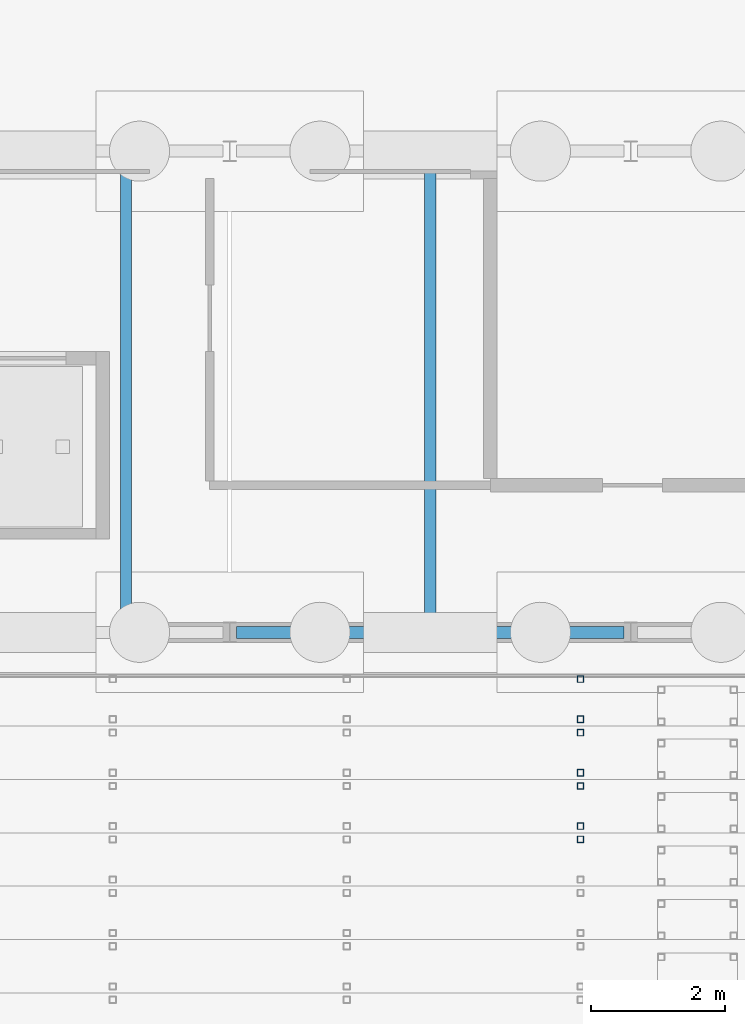
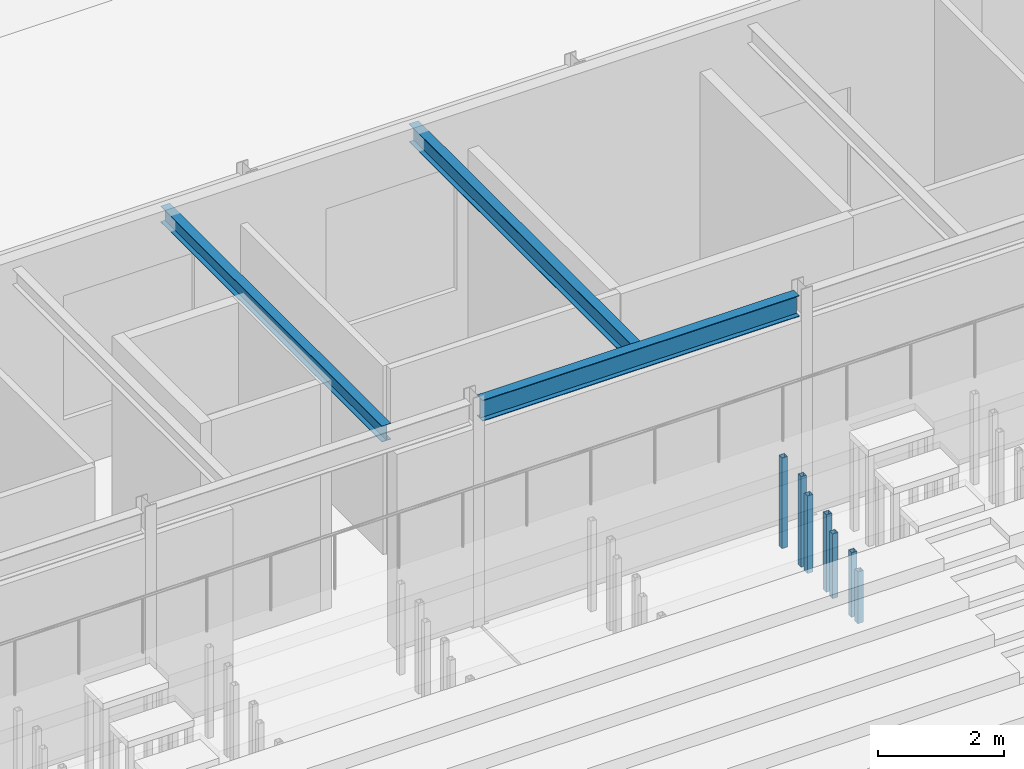
# One storey, part 34 of 139: 7 members, 3 beams.
"""IFC4 building model written with IfcOpenShell, lengths in metres."""

from ifc_helpers import new_model, si_unit, direction, frame, origin, origin_2d, place, context, subcontext, project, spatial, hollow_rectangle, i_section, extrude, material, material_profile, profile_set, type_object, element, save


model = new_model("IFC4")

# Units and contexts
model_context = context("Model", 3, precision=1e-05, world=origin(), true_north=direction((0.0, 1.0)))
body_context = subcontext(model_context, "Body", "Model", "MODEL_VIEW")
ifc_project = project(units=[si_unit("LENGTHUNIT", "METRE"), si_unit("AREAUNIT", "SQUARE_METRE"), si_unit("VOLUMEUNIT", "CUBIC_METRE"), si_unit("PLANEANGLEUNIT", "RADIAN"), si_unit("MASSUNIT", "GRAM", prefix="KILO")], contexts=[model_context])

# Site, building, storey
site_placement = place(None, origin())
site = spatial("IfcSite", under=ifc_project, at=site_placement, CompositionType="ELEMENT")
building_placement = place(site_placement, origin())
building = spatial("IfcBuilding", under=site, at=building_placement, Name="Verrick Yard Athletic Hall", CompositionType="ELEMENT")
storey_placement = place(building_placement, origin())
storey = spatial("IfcBuildingStorey", under=building, at=storey_placement, Name="L00", CompositionType="ELEMENT", Elevation=0.0)

# Beam
ifc_material_1 = material(Name="Structural steel 350W (CSA G40.21)", Category="steel")
ifc_material_profile_1 = material_profile(ifc_material_1, i_section(OverallWidth=0.177978515625, OverallDepth=0.406982421875, WebThickness=0.0078125, FlangeThickness=0.0126953125, at=origin_2d()), Name="W410x60")
ifc_profile_set_1 = profile_set([ifc_material_profile_1], Name="Structural steel 350W (CSA G40.21)")
beam_type_1 = type_object("IfcBeamType", Name="HB girder W410x60", PredefinedType="BEAM", material=ifc_profile_set_1)
beam_1_placement = place(storey_placement, frame((52.1025390625, 100.800048828125, 4.04638671875), z_axis=(1.0, 0.0, 0.0), x_axis=(0.0, 1.0, 0.0)))
element("IfcBeam", 1, at=beam_1_placement, inside=storey, type_object=beam_type_1, Name="HB-GB-B-L01-S5", PredefinedType="BEAM", context=body_context, shape_type="SweptSolid", body=[
    extrude(i_section(OverallWidth=0.177978515625, OverallDepth=0.406982421875, WebThickness=0.0078125, FlangeThickness=0.0126953125, at=origin_2d()), origin(), (0.0, 0.0, 1.0), 5.794921875),
])

# Members
ifc_material_2 = material(Name="Structural steel HSS Class C 350W (CSA G40.20/G40.21)", Category="steel")
ifc_material_profile_2 = material_profile(ifc_material_2, hollow_rectangle(XDim=0.1015625, YDim=0.1015625, WallThickness=0.00634765625, at=origin_2d()), Name="HSS102x102x6.4")
ifc_profile_set_2 = profile_set([ifc_material_profile_2], Name="Structural steel HSS Class C 350W (CSA G40.20/G40.21)")
member_type = type_object("IfcMemberType", Name="HB seating post HSS102x102x6.4", PredefinedType="POST", material=ifc_profile_set_2)
member_placement = place(storey_placement, frame((57.249755859375, 97.699951171875, 0.0), z_axis=(0.0, 0.0, 1.0), x_axis=(0.0, 1.0, 0.0)))
element("IfcMember", 2, at=member_placement, inside=storey, type_object=member_type, Name="HB-SP-RSB1-T5b7", PredefinedType="POST", context=body_context, shape_type="SweptSolid", body=[
    extrude(hollow_rectangle(XDim=0.1015625, YDim=0.1015625, WallThickness=0.00634765625, at=origin_2d()), origin(), (0.0, 0.0, 1.0), 1.0),
])
for number, where, z_axis, x_axis, name in (
    (3, (57.249755859375, 97.89990234375, 0.0), (0.0, 0.0, 1.0), (0.0, 1.0, 0.0), "HB-SP-RSB1-T6f7"),
    (4, (57.249755859375, 98.5, 0.0), (0.0, 0.0, 1.0), (0.0, 1.0, 0.0), "HB-SP-RSB1-T6b7"),
):
    element("IfcMember", number, at=place(storey_placement, frame(where, z_axis=z_axis, x_axis=x_axis)), inside=storey, type_object=member_type, Name=name, PredefinedType="POST", context=body_context, shape_type="SweptSolid", body=[
        extrude(hollow_rectangle(XDim=0.1015625, YDim=0.1015625, WallThickness=0.00634765625, at=origin_2d()), origin(), (0.0, 0.0, 1.0), 1.25),
    ])
for number, where, z_axis, x_axis, name in (
    (5, (57.249755859375, 98.699951171875, 0.0), (0.0, 0.0, 1.0), (0.0, 1.0, 0.0), "HB-SP-RSB1-T7f7"),
    (6, (57.249755859375, 99.300048828125, 0.0), (0.0, 0.0, 1.0), (0.0, 1.0, 0.0), "HB-SP-RSB1-T7b7"),
):
    element("IfcMember", number, at=place(storey_placement, frame(where, z_axis=z_axis, x_axis=x_axis)), inside=storey, type_object=member_type, Name=name, PredefinedType="POST", context=body_context, shape_type="SweptSolid", body=[
        extrude(hollow_rectangle(XDim=0.1015625, YDim=0.1015625, WallThickness=0.00634765625, at=origin_2d()), origin(), (0.0, 0.0, 1.0), 1.5),
    ])
for number, where, z_axis, x_axis, name in (
    (7, (57.249755859375, 99.5, 0.0), (0.0, 0.0, 1.0), (0.0, 1.0, 0.0), "HB-SP-RSB1-T8f7"),
    (8, (57.249755859375, 100.10009765625, 0.0), (0.0, 0.0, 1.0), (0.0, 1.0, 0.0), "HB-SP-RSB1-T8b7"),
):
    element("IfcMember", number, at=place(storey_placement, frame(where, z_axis=z_axis, x_axis=x_axis)), inside=storey, type_object=member_type, Name=name, PredefinedType="POST", context=body_context, shape_type="SweptSolid", body=[
        extrude(hollow_rectangle(XDim=0.1015625, YDim=0.1015625, WallThickness=0.00634765625, at=origin_2d()), origin(), (0.0, 0.0, 1.0), 1.75),
    ])

# Beams
ifc_material_profile_3 = material_profile(ifc_material_1, i_section(OverallWidth=0.1708984375, OverallDepth=0.35498046875, WebThickness=0.007080078125, FlangeThickness=0.01171875, at=origin_2d()), Name="W360x51")
ifc_profile_set_3 = profile_set([ifc_material_profile_3], Name="Structural steel 350W (CSA G40.21)")
beam_type_2 = type_object("IfcBeamType", Name="HB secondary beam W360x51", PredefinedType="JOIST", material=ifc_profile_set_3)
beam_2_placement = place(storey_placement, frame((55.0, 100.888916015625, 4.072509765625), z_axis=(0.0, 1.0, 0.0), x_axis=(-1.0, 0.0, 0.0)))
element("IfcBeam", 9, at=beam_2_placement, inside=storey, type_object=beam_type_2, Name="HB-SB-B-L01-5", PredefinedType="JOIST", context=body_context, shape_type="SweptSolid", body=[
    extrude(i_section(OverallWidth=0.1708984375, OverallDepth=0.35498046875, WebThickness=0.007080078125, FlangeThickness=0.01171875, at=origin_2d()), origin(), (0.0, 0.0, 1.0), 7.02197265625),
])
ifc_material_profile_4 = material_profile(ifc_material_1, i_section(OverallWidth=0.1650390625, OverallDepth=0.31005859375, WebThickness=0.005859375, FlangeThickness=0.009765625, at=origin_2d()), Name="W310x39")
ifc_profile_set_4 = profile_set([ifc_material_profile_4], Name="Structural steel 350W (CSA G40.21)")
beam_type_3 = type_object("IfcBeamType", Name="HB trimmer beam W310x39", PredefinedType="BEAM", material=ifc_profile_set_4)
beam_3_placement = place(storey_placement, frame((50.449951171875, 100.888916015625, 4.094970703125), z_axis=(0.0, 1.0, 0.0), x_axis=(-1.0, 0.0, 0.0)))
element("IfcBeam", 10, at=beam_3_placement, inside=storey, type_object=beam_type_3, Name="HB-TB-B-3b", PredefinedType="BEAM", context=body_context, shape_type="SweptSolid", body=[
    extrude(i_section(OverallWidth=0.1650390625, OverallDepth=0.31005859375, WebThickness=0.005859375, FlangeThickness=0.009765625, at=origin_2d()), origin(), (0.0, 0.0, 1.0), 7.02197265625),
])

save(model, "model.ifc")
